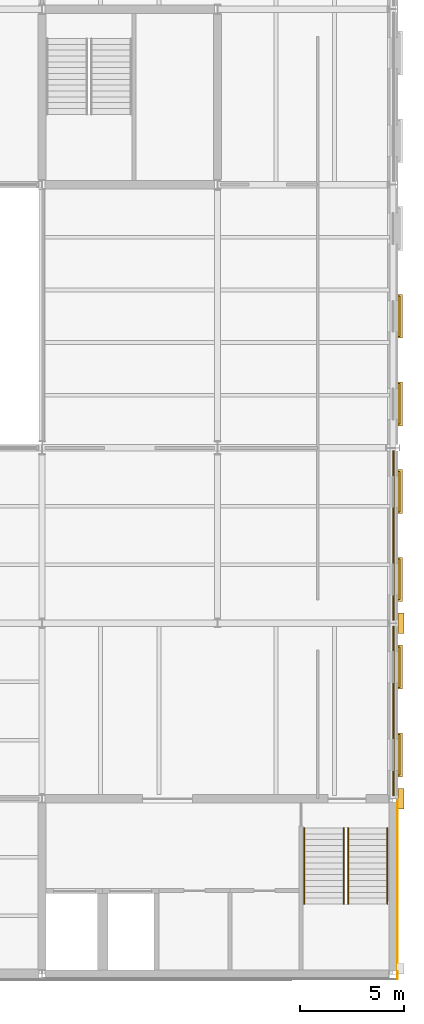
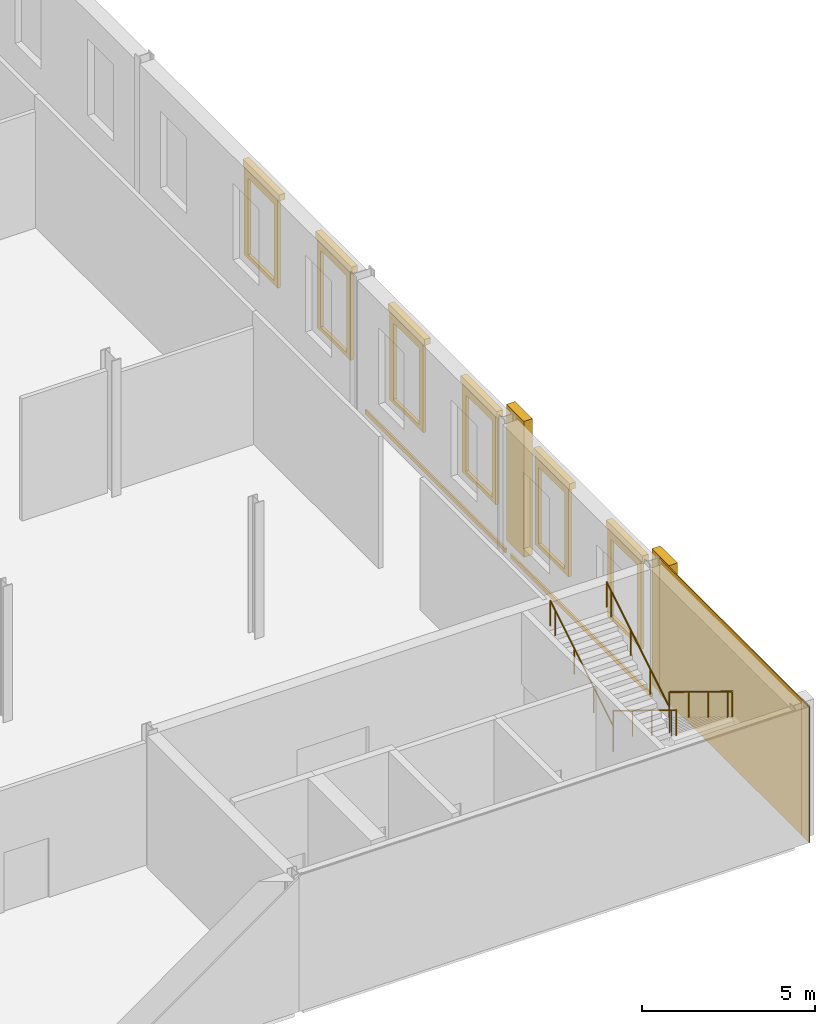
# One storey, part 49 of 52: 18 coverings, 4 railings.
"""IFC4 building model written with IfcOpenShell, lengths in metres."""

from ifc_helpers import new_model, si_unit, direction, frame, origin, origin_2d, place, context, subcontext, project, spatial, polyline, rectangle, circle, outline, extrude, material, layer, layer_set, type_object, element, save


model = new_model("IFC4")

# Units and contexts
model_context = context("Model", 3, precision=1e-05, world=origin(), true_north=direction((0.0, 1.0)))
body_context = subcontext(model_context, "Body", "Model", "MODEL_VIEW")
ifc_project = project(units=[si_unit("LENGTHUNIT", "METRE"), si_unit("AREAUNIT", "SQUARE_METRE"), si_unit("VOLUMEUNIT", "CUBIC_METRE"), si_unit("PLANEANGLEUNIT", "RADIAN"), si_unit("MASSUNIT", "GRAM", prefix="KILO")], contexts=[model_context])

# Site, building, storey
site_placement = place(None, origin())
site = spatial("IfcSite", under=ifc_project, at=site_placement, CompositionType="ELEMENT")
building_placement = place(site_placement, origin())
building = spatial("IfcBuilding", under=site, at=building_placement, Name="Galleria Vessillo Department Store", CompositionType="ELEMENT")
storey_placement = place(building_placement, frame((0.0, 0.0, 16.199951171875)))
storey = spatial("IfcBuildingStorey", under=building, at=storey_placement, Name="L03", CompositionType="ELEMENT", Elevation=16.199951171875)

# Coverings
ifc_material_1 = material(Name="Lime plaster (intonaco) ochre")
ifc_layer_1 = layer(ifc_material_1, 0.030029296875)
ifc_layer_set_1 = layer_set([ifc_layer_1], Name="Lime plaster (intonaco) ochre")
covering_type_1 = type_object("IfcCoveringType", Name="Lime plaster render 30 mm", PredefinedType="CLADDING", material=ifc_layer_set_1)
covering_1_placement = place(storey_placement, frame((117.81494140625, -0.06494140625, 0.0), z_axis=(0.0, 0.0, 1.0), x_axis=(1.0, 0.0, 0.0)))
element("IfcCovering", 1, at=covering_1_placement, inside=storey, type_object=covering_type_1, Name="Corner cladding L03 y=0 east face", PredefinedType="CLADDING", context=body_context, shape_type="SweptSolid", body=[
    extrude(rectangle(XDim=0.030029296875, YDim=0.429931640625, at=origin_2d()), origin(), (0.0, 0.0, 1.0), 4.800048828125),
])
ifc_material_2 = material(Name="Botticino limestone ashlar", Category="masonry")
ifc_layer_2 = layer(ifc_material_2, 0.280029296875)
ifc_layer_set_2 = layer_set([ifc_layer_2], Name="Botticino limestone ashlar")
covering_type_2 = type_object("IfcCoveringType", Name="Limestone giant pilaster 1000 x 280", PredefinedType="CLADDING", material=ifc_layer_set_2)
for number, where, z_axis, x_axis, name in (
    (2, (117.989990234375, 8.39990234375, 0.0), (0.0, 0.0, 1.0), (1.0, 0.0, 0.0), "Giant pilaster E L03 y=8.4"),
    (3, (117.989990234375, 16.800048828125, 0.0), (0.0, 0.0, 1.0), (1.0, 0.0, 0.0), "Giant pilaster E L03 y=16.8"),
):
    element("IfcCovering", number, at=place(storey_placement, frame(where, z_axis=z_axis, x_axis=x_axis)), inside=storey, type_object=covering_type_2, Name=name, PredefinedType="CLADDING", context=body_context, shape_type="SweptSolid", body=[
        extrude(rectangle(XDim=0.280029296875, YDim=1.0, at=origin_2d()), origin(), (0.0, 0.0, 1.0), 4.800048828125),
    ])
ifc_material_3 = material(Name="Botticino limestone ashlar", Category="masonry")
ifc_layer_3 = layer(ifc_material_3, 0.14990234375)
ifc_layer_set_3 = layer_set([ifc_layer_3], Name="Botticino limestone ashlar")
covering_type_3 = type_object("IfcCoveringType", Name="Limestone slab-edge fascia 150 mm", PredefinedType="CLADDING", material=ifc_layer_set_3)
covering_2_placement = place(storey_placement, frame((117.630126953125, 12.60009765625, -0.14990234375), z_axis=(0.0, 0.0, 1.0), x_axis=(1.0, 0.0, 0.0)))
element("IfcCovering", 4, at=covering_2_placement, inside=storey, type_object=covering_type_3, Name="Slab-edge fascia SE-S-L02-01", PredefinedType="CLADDING", context=body_context, shape_type="SweptSolid", body=[
    extrude(rectangle(XDim=0.06005859375, YDim=8.10009765625, at=origin_2d()), origin(), (0.0, 0.0, 1.0), 0.14990234375),
])
covering_3_placement = place(storey_placement, frame((117.630126953125, 20.998779296875, -0.14990234375), z_axis=(0.0, 0.0, 1.0), x_axis=(1.0, 0.0, 0.0)))
element("IfcCovering", 5, at=covering_3_placement, inside=storey, type_object=covering_type_3, Name="Slab-edge fascia SE-S-L02-02", PredefinedType="CLADDING", context=body_context, shape_type="SweptSolid", body=[
    extrude(rectangle(XDim=0.06005859375, YDim=8.097412109375, at=origin_2d()), origin(), (0.0, 0.0, 1.0), 0.14990234375),
])
ifc_material_4 = material(Name="Botticino limestone ashlar", Category="masonry")
ifc_layer_4 = layer(ifc_material_4, 0.030029296875)
ifc_layer_set_4 = layer_set([ifc_layer_4], Name="Botticino limestone ashlar")
covering_type_4 = type_object("IfcCoveringType", Name="Limestone wall cladding 30 mm", PredefinedType="CLADDING", material=ifc_layer_set_4)
covering_4_placement = place(storey_placement, frame((117.815185546875, 4.260009765625, 0.0), z_axis=(0.0, 0.0, 1.0), x_axis=(1.0, 0.0, 0.0)))
element("IfcCovering", 6, at=covering_4_placement, inside=storey, type_object=covering_type_4, Name="Wall cladding S-CW-GC-EAST-L03", PredefinedType="CLADDING", context=body_context, shape_type="SweptSolid", body=[
    extrude(rectangle(XDim=0.030029296875, YDim=8.219970703125, at=origin_2d()), origin(), (0.0, 0.0, 1.0), 4.800048828125),
])
ifc_material_5 = material(Name="Botticino limestone ashlar", Category="masonry")
ifc_layer_5 = layer(ifc_material_5, 0.199951171875)
ifc_layer_set_5 = layer_set([ifc_layer_5], Name="Botticino limestone ashlar")
covering_type_5 = type_object("IfcCoveringType", Name="Limestone window hood 200 mm", PredefinedType="MOLDING", material=ifc_layer_set_5)
covering_5_placement = place(storey_placement, frame((117.85009765625, 0.0, 1.0), z_axis=(1.0, 0.0, 0.0), x_axis=(0.0, 1.0, 0.0)))
element("IfcCovering", 7, at=covering_5_placement, inside=storey, type_object=covering_type_5, Name="Window hood W028", PredefinedType="MOLDING", context=body_context, shape_type="SweptSolid", body=[
    extrude(outline(polyline([(9.449951171875, 2.97998046875), (11.550048828125, 2.97998046875), (11.550048828125, 3.199951171875), (9.449951171875, 3.199951171875), (9.449951171875, 2.97998046875)])), origin(), (0.0, 0.0, 1.0), 0.199951171875),
])
covering_6_placement = place(storey_placement, frame((117.85009765625, 0.0, 1.0), z_axis=(1.0, 0.0, 0.0), x_axis=(0.0, 1.0, 0.0)))
element("IfcCovering", 8, at=covering_6_placement, inside=storey, type_object=covering_type_5, Name="Window hood W029", PredefinedType="MOLDING", context=body_context, shape_type="SweptSolid", body=[
    extrude(outline(polyline([(13.64990234375, 2.97998046875), (15.75, 2.97998046875), (15.75, 3.199951171875), (13.64990234375, 3.199951171875), (13.64990234375, 2.97998046875)])), origin(), (0.0, 0.0, 1.0), 0.199951171875),
])
covering_7_placement = place(storey_placement, frame((117.85009765625, 0.0, 1.0), z_axis=(1.0, 0.0, 0.0), x_axis=(0.0, 1.0, 0.0)))
element("IfcCovering", 9, at=covering_7_placement, inside=storey, type_object=covering_type_5, Name="Window hood W030", PredefinedType="MOLDING", context=body_context, shape_type="SweptSolid", body=[
    extrude(outline(polyline([(17.849853515625, 2.97998046875), (19.949951171875, 2.97998046875), (19.949951171875, 3.199951171875), (17.849853515625, 3.199951171875), (17.849853515625, 2.97998046875)])), origin(), (0.0, 0.0, 1.0), 0.199951171875),
])
covering_8_placement = place(storey_placement, frame((117.85009765625, 0.0, 1.0), z_axis=(1.0, 0.0, 0.0), x_axis=(0.0, 1.0, 0.0)))
element("IfcCovering", 10, at=covering_8_placement, inside=storey, type_object=covering_type_5, Name="Window hood W031", PredefinedType="MOLDING", context=body_context, shape_type="SweptSolid", body=[
    extrude(outline(polyline([(22.050048828125, 2.97998046875), (24.150146484375, 2.97998046875), (24.150146484375, 3.199951171875), (22.050048828125, 3.199951171875), (22.050048828125, 2.97998046875)])), origin(), (0.0, 0.0, 1.0), 0.199951171875),
])
covering_9_placement = place(storey_placement, frame((117.85009765625, 0.0, 1.0), z_axis=(1.0, 0.0, 0.0), x_axis=(0.0, 1.0, 0.0)))
element("IfcCovering", 11, at=covering_9_placement, inside=storey, type_object=covering_type_5, Name="Window hood W032", PredefinedType="MOLDING", context=body_context, shape_type="SweptSolid", body=[
    extrude(outline(polyline([(26.25, 2.97998046875), (28.35009765625, 2.97998046875), (28.35009765625, 3.199951171875), (26.25, 3.199951171875), (26.25, 2.97998046875)])), origin(), (0.0, 0.0, 1.0), 0.199951171875),
])
covering_10_placement = place(storey_placement, frame((117.85009765625, 0.0, 1.0), z_axis=(1.0, 0.0, 0.0), x_axis=(0.0, 1.0, 0.0)))
element("IfcCovering", 12, at=covering_10_placement, inside=storey, type_object=covering_type_5, Name="Window hood W033", PredefinedType="MOLDING", context=body_context, shape_type="SweptSolid", body=[
    extrude(outline(polyline([(30.449951171875, 2.97998046875), (32.550048828125, 2.97998046875), (32.550048828125, 3.199951171875), (30.449951171875, 3.199951171875), (30.449951171875, 2.97998046875)])), origin(), (0.0, 0.0, 1.0), 0.199951171875),
])
ifc_material_6 = material(Name="Botticino limestone ashlar", Category="masonry")
ifc_layer_6 = layer(ifc_material_6, 0.10009765625)
ifc_layer_set_6 = layer_set([ifc_layer_6], Name="Botticino limestone ashlar")
covering_type_6 = type_object("IfcCoveringType", Name="Limestone window surround 100 mm", PredefinedType="CLADDING", material=ifc_layer_set_6)
covering_11_placement = place(storey_placement, frame((117.85009765625, 0.0, 1.0), z_axis=(1.0, 0.0, 0.0), x_axis=(0.0, 1.0, 0.0)))
element("IfcCovering", 13, at=covering_11_placement, inside=storey, type_object=covering_type_6, Name="Window surround W028", PredefinedType="CLADDING", context=body_context, shape_type="SweptSolid", body=[
    extrude(outline(polyline([(9.530029296875, -0.139892578125), (11.469970703125, -0.139892578125), (11.469970703125, 2.97998046875), (9.530029296875, 2.97998046875), (9.530029296875, -0.139892578125)]), holes=[polyline([(9.75, 0.0), (11.25, 0.0), (11.25, 2.699951171875), (9.75, 2.699951171875), (9.75, 0.0)])]), origin(), (0.0, 0.0, 1.0), 0.10009765625),
])
covering_12_placement = place(storey_placement, frame((117.85009765625, 0.0, 1.0), z_axis=(1.0, 0.0, 0.0), x_axis=(0.0, 1.0, 0.0)))
element("IfcCovering", 14, at=covering_12_placement, inside=storey, type_object=covering_type_6, Name="Window surround W029", PredefinedType="CLADDING", context=body_context, shape_type="SweptSolid", body=[
    extrude(outline(polyline([(13.72998046875, -0.139892578125), (15.669921875, -0.139892578125), (15.669921875, 2.97998046875), (13.72998046875, 2.97998046875), (13.72998046875, -0.139892578125)]), holes=[polyline([(13.949951171875, 0.0), (15.449951171875, 0.0), (15.449951171875, 2.699951171875), (13.949951171875, 2.699951171875), (13.949951171875, 0.0)])]), origin(), (0.0, 0.0, 1.0), 0.10009765625),
])
covering_13_placement = place(storey_placement, frame((117.85009765625, 0.0, 1.0), z_axis=(1.0, 0.0, 0.0), x_axis=(0.0, 1.0, 0.0)))
element("IfcCovering", 15, at=covering_13_placement, inside=storey, type_object=covering_type_6, Name="Window surround W030", PredefinedType="CLADDING", context=body_context, shape_type="SweptSolid", body=[
    extrude(outline(polyline([(17.929931640625, -0.139892578125), (19.869873046875, -0.139892578125), (19.869873046875, 2.97998046875), (17.929931640625, 2.97998046875), (17.929931640625, -0.139892578125)]), holes=[polyline([(18.14990234375, 0.0), (19.64990234375, 0.0), (19.64990234375, 2.699951171875), (18.14990234375, 2.699951171875), (18.14990234375, 0.0)])]), origin(), (0.0, 0.0, 1.0), 0.10009765625),
])
covering_14_placement = place(storey_placement, frame((117.85009765625, 0.0, 1.0), z_axis=(1.0, 0.0, 0.0), x_axis=(0.0, 1.0, 0.0)))
element("IfcCovering", 16, at=covering_14_placement, inside=storey, type_object=covering_type_6, Name="Window surround W031", PredefinedType="CLADDING", context=body_context, shape_type="SweptSolid", body=[
    extrude(outline(polyline([(22.130126953125, -0.139892578125), (24.070068359375, -0.139892578125), (24.070068359375, 2.97998046875), (22.130126953125, 2.97998046875), (22.130126953125, -0.139892578125)]), holes=[polyline([(22.35009765625, 0.0), (23.85009765625, 0.0), (23.85009765625, 2.699951171875), (22.35009765625, 2.699951171875), (22.35009765625, 0.0)])]), origin(), (0.0, 0.0, 1.0), 0.10009765625),
])
covering_15_placement = place(storey_placement, frame((117.85009765625, 0.0, 1.0), z_axis=(1.0, 0.0, 0.0), x_axis=(0.0, 1.0, 0.0)))
element("IfcCovering", 17, at=covering_15_placement, inside=storey, type_object=covering_type_6, Name="Window surround W032", PredefinedType="CLADDING", context=body_context, shape_type="SweptSolid", body=[
    extrude(outline(polyline([(26.330078125, -0.139892578125), (28.27001953125, -0.139892578125), (28.27001953125, 2.97998046875), (26.330078125, 2.97998046875), (26.330078125, -0.139892578125)]), holes=[polyline([(26.550048828125, 0.0), (28.050048828125, 0.0), (28.050048828125, 2.699951171875), (26.550048828125, 2.699951171875), (26.550048828125, 0.0)])]), origin(), (0.0, 0.0, 1.0), 0.10009765625),
])
covering_16_placement = place(storey_placement, frame((117.85009765625, 0.0, 1.0), z_axis=(1.0, 0.0, 0.0), x_axis=(0.0, 1.0, 0.0)))
element("IfcCovering", 18, at=covering_16_placement, inside=storey, type_object=covering_type_6, Name="Window surround W033", PredefinedType="CLADDING", context=body_context, shape_type="SweptSolid", body=[
    extrude(outline(polyline([(30.530029296875, -0.139892578125), (32.469970703125, -0.139892578125), (32.469970703125, 2.97998046875), (30.530029296875, 2.97998046875), (30.530029296875, -0.139892578125)]), holes=[polyline([(30.75, 0.0), (32.25, 0.0), (32.25, 2.699951171875), (30.75, 2.699951171875), (30.75, 0.0)])]), origin(), (0.0, 0.0, 1.0), 0.10009765625),
])

# Railings
ifc_material_7 = material(Name="Stainless steel tube", Category="steel")
railing_type = type_object("IfcRailingType", Name="Stair handrail steel tube 48 mm", PredefinedType="HANDRAIL", material=ifc_material_7)
for number, where, name in (
    (19, (117.33984375, 7.0, 0.17138671875), "Handrail ST7 L03 flight 1A"),
    (20, (115.4599609375, 7.0, 0.17138671875), "Handrail ST7 L03 flight 1B"),
):
    element("IfcRailing", number, at=place(storey_placement, frame(where)), inside=storey, type_object=railing_type, Name=name, PredefinedType="HANDRAIL", context=body_context, shape_type="SweptSolid", body=[
        extrude(circle(Radius=0.02392578125, at=origin_2d()), frame((0.0, 0.0, 0.89599609375), z_axis=(0.0, -0.852849614702, 0.52215661894), x_axis=(1.0, 0.0, 0.0)), (0.0, 0.0, 1.0), 1.3134765625),
        extrude(circle(Radius=0.02392578125, at=origin_2d()), frame((0.0, -1.1201171875, 1.58154296875), z_axis=(0.0, -0.852798921012, 0.522239409008), x_axis=(1.0, 0.0, 0.0)), (0.0, 0.0, 1.0), 1.313232421875),
        extrude(circle(Radius=0.02392578125, at=origin_2d()), frame((0.0, -2.239990234375, 2.267578125), z_axis=(0.0, -0.852932391421, 0.522021393877), x_axis=(1.0, 0.0, 0.0)), (0.0, 0.0, 1.0), 1.313232421875),
        extrude(circle(Radius=0.02392578125, at=origin_2d()), frame((0.0, -3.360107421875, 2.953125), z_axis=(0.0, -0.852729557261, 0.522352660731), x_axis=(1.0, 0.0, 0.0)), (0.0, 0.0, 1.0), 0.328125),
        extrude(circle(Radius=0.02099609375, at=origin_2d()), origin(), (0.0, 0.0, 1.0), 0.871826171875),
        extrude(circle(Radius=0.02099609375, at=origin_2d()), frame((0.0, -1.1201171875, 0.685791015625)), (0.0, 0.0, 1.0), 0.871826171875),
        extrude(circle(Radius=0.02099609375, at=origin_2d()), frame((0.0, -2.239990234375, 1.37158203125)), (0.0, 0.0, 1.0), 0.871826171875),
        extrude(circle(Radius=0.02099609375, at=origin_2d()), frame((0.0, -3.360107421875, 2.05712890625)), (0.0, 0.0, 1.0), 0.871826171875),
        extrude(circle(Radius=0.02099609375, at=origin_2d()), frame((0.0, -3.639892578125, 2.228515625)), (0.0, 0.0, 1.0), 0.871826171875),
    ])
for number, where, name in (
    (21, (113.360107421875, 3.360107421875, 2.571533203125), "Handrail ST7 L03 flight 2A"),
    (22, (115.239990234375, 3.360107421875, 2.571533203125), "Handrail ST7 L03 flight 2B"),
):
    element("IfcRailing", number, at=place(storey_placement, frame(where)), inside=storey, type_object=railing_type, Name=name, PredefinedType="HANDRAIL", context=body_context, shape_type="SweptSolid", body=[
        extrude(circle(Radius=0.02392578125, at=origin_2d()), frame((0.0, 0.0, 0.89599609375), z_axis=(0.0, 0.852849614702, 0.52215661894), x_axis=(-1.0, 0.0, 0.0)), (0.0, 0.0, 1.0), 1.3134765625),
        extrude(circle(Radius=0.02392578125, at=origin_2d()), frame((0.0, 1.1201171875, 1.58154296875), z_axis=(0.0, 0.852798921012, 0.522239409008), x_axis=(-1.0, 0.0, 0.0)), (0.0, 0.0, 1.0), 1.313232421875),
        extrude(circle(Radius=0.02392578125, at=origin_2d()), frame((0.0, 2.239990234375, 2.267578125), z_axis=(0.0, 0.852932391421, 0.522021393877), x_axis=(-1.0, 0.0, 0.0)), (0.0, 0.0, 1.0), 1.313232421875),
        extrude(circle(Radius=0.02392578125, at=origin_2d()), frame((0.0, 3.360107421875, 2.953125), z_axis=(0.0, 0.852729557261, 0.522352660731), x_axis=(-1.0, 0.0, 0.0)), (0.0, 0.0, 1.0), 0.328125),
        extrude(circle(Radius=0.02099609375, at=origin_2d()), origin(), (0.0, 0.0, 1.0), 0.871826171875),
        extrude(circle(Radius=0.02099609375, at=origin_2d()), frame((0.0, 1.1201171875, 0.685791015625)), (0.0, 0.0, 1.0), 0.871826171875),
        extrude(circle(Radius=0.02099609375, at=origin_2d()), frame((0.0, 2.239990234375, 1.37158203125)), (0.0, 0.0, 1.0), 0.871826171875),
        extrude(circle(Radius=0.02099609375, at=origin_2d()), frame((0.0, 3.360107421875, 2.05712890625)), (0.0, 0.0, 1.0), 0.871826171875),
        extrude(circle(Radius=0.02099609375, at=origin_2d()), frame((0.0, 3.639892578125, 2.228515625)), (0.0, 0.0, 1.0), 0.871826171875),
    ])

save(model, "model.ifc")
